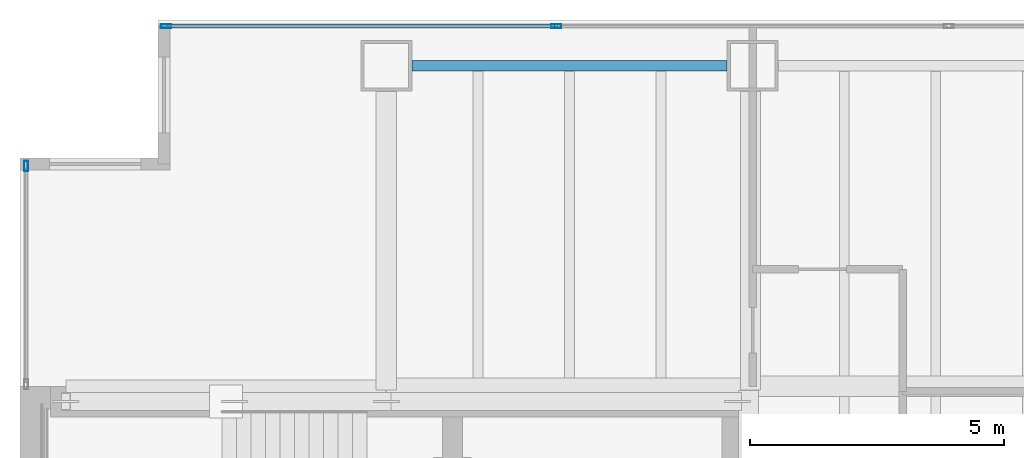
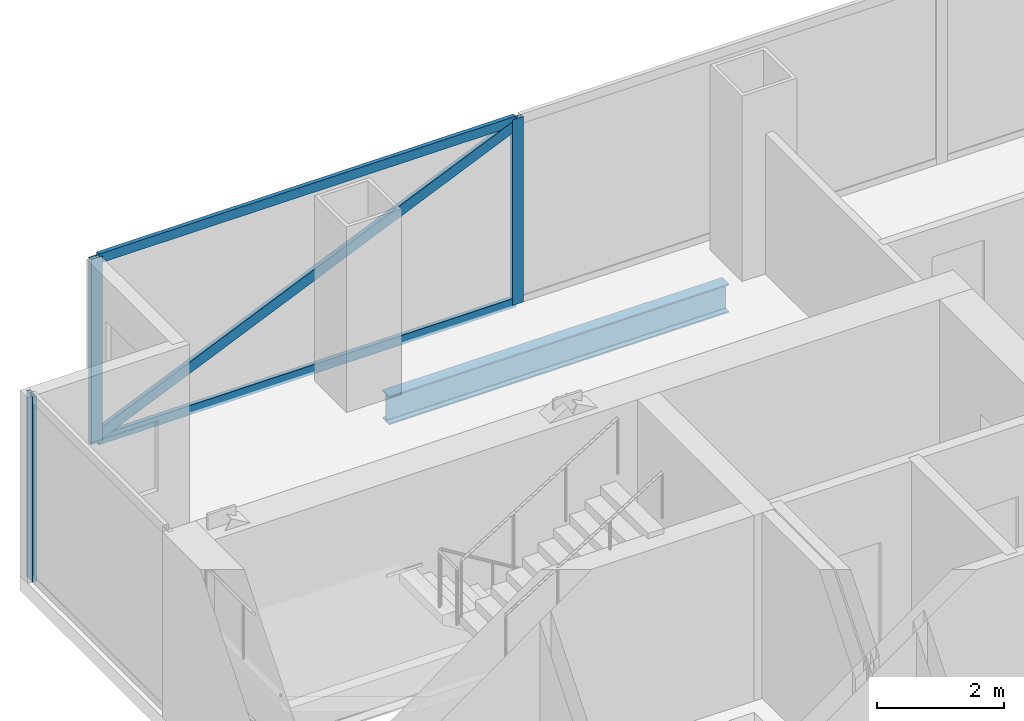
# One storey, part 16 of 23: 6 members, 1 beam, 2 elements without a shape of their own.
"""IFC4 building model written with IfcOpenShell, lengths in metres."""

from ifc_helpers import new_model, si_unit, direction, frame, origin, origin_2d, place, context, subcontext, project, spatial, hollow_rectangle, i_section, extrude, material, material_profile, profile_set, type_object, element, aggregate, save


model = new_model("IFC4")

# Units and contexts
model_context = context("Model", 3, precision=1e-05, world=origin(), true_north=direction((0.0, 1.0)))
body_context = subcontext(model_context, "Body", "Model", "MODEL_VIEW")
ifc_project = project(units=[si_unit("LENGTHUNIT", "METRE"), si_unit("AREAUNIT", "SQUARE_METRE"), si_unit("VOLUMEUNIT", "CUBIC_METRE"), si_unit("PLANEANGLEUNIT", "RADIAN"), si_unit("MASSUNIT", "GRAM", prefix="KILO")], contexts=[model_context])

# Site, building, storey
site_placement = place(None, origin())
site = spatial("IfcSite", under=ifc_project, at=site_placement, CompositionType="ELEMENT")
building_placement = place(site_placement, origin())
building = spatial("IfcBuilding", under=site, at=building_placement, Name="Cobrela Telecom Tower", CompositionType="ELEMENT")
storey_placement = place(building_placement, frame((0.0, 0.0, 65.800048828125)))
storey = spatial("IfcBuildingStorey", under=building, at=storey_placement, Name="L16", CompositionType="ELEMENT", Elevation=65.800048828125)

# Beam
ifc_material_1 = material(Name="Steel ASTM A992 Grade 50", Category="steel")
ifc_material_profile_1 = material_profile(ifc_material_1, i_section(OverallWidth=0.212890625, OverallDepth=0.549072265625, WebThickness=0.0146484375, FlangeThickness=0.023681640625, FilletRadius=0.013916015625, at=origin_2d()), Name="W21X93")
ifc_profile_set_1 = profile_set([ifc_material_profile_1], Name="Steel ASTM A992 Grade 50")
beam_type = type_object("IfcBeamType", Name="BM-SPAND-03", PredefinedType="SPANDREL", material=ifc_profile_set_1)
beam_placement = place(storey_placement, frame((7.705078125, 42.300048828125, -0.554443359375), z_axis=(1.0, 0.0, 0.0), x_axis=(0.0, 1.0, 0.0)))
element("IfcBeam", 1, at=beam_placement, inside=storey, type_object=beam_type, Name="L16 Perimeter Spandrel X29", PredefinedType="SPANDREL", context=body_context, shape_type="SweptSolid", body=[
    extrude(i_section(OverallWidth=0.212890625, OverallDepth=0.549072265625, WebThickness=0.0146484375, FlangeThickness=0.023681640625, FilletRadius=0.013916015625, at=origin_2d()), origin(), (0.0, 0.0, 1.0), 6.18994140625),
])

# Curtain wall, member
ifc_material_2 = material(Name="Anodized Bronze Aluminium 6063-T6", Category="aluminium")
curtain_wall_type = type_object("IfcCurtainWallType", Name="CW-SYS-DATA", PredefinedType="USERDEFINED", material=ifc_material_2)
curtain_wall_1_placement = place(storey_placement, origin())
curtain_wall_1 = element("IfcCurtainWall", 2, at=curtain_wall_1_placement, inside=storey, type_object=curtain_wall_type, Name="L16 Unitised Bronze Curtain Wall 04", ObjectType="UNITISED CURTAIN WALL", PredefinedType="USERDEFINED")
ifc_material_profile_2 = material_profile(ifc_material_2, hollow_rectangle(XDim=0.080078125, YDim=0.199951171875, WallThickness=0.00390625, at=origin_2d()), Name="ALU 80x200x4")
ifc_profile_set_2 = profile_set([ifc_material_profile_2], Name="Anodized Bronze Aluminium 6063-T6")
member_type_1 = type_object("IfcMemberType", Name="CW-SYS-DATA-MUL", PredefinedType="MULLION", material=ifc_profile_set_2)
member_1_placement = place(storey_placement, frame((0.1201171875, 40.330078125, 0.0), z_axis=(0.0, 0.0, 1.0), x_axis=(-1.0, 0.0, 0.0)))
member_1 = element("IfcMember", 3, at=member_1_placement, type_object=member_type_1, Name="CW-DATA mullion 2", PredefinedType="MULLION", context=body_context, shape_type="SweptSolid", body=[
    extrude(hollow_rectangle(XDim=0.080078125, YDim=0.199951171875, WallThickness=0.00390625, at=origin_2d()), origin(), (0.0, 0.0, 1.0), 3.570068359375),
])
aggregate(curtain_wall_1, [member_1])

# Curtain wall, members
curtain_wall_2_placement = place(storey_placement, origin())
curtain_wall_2 = element("IfcCurtainWall", 4, at=curtain_wall_2_placement, inside=storey, type_object=curtain_wall_type, Name="L16 Unitised Bronze Curtain Wall 07", ObjectType="UNITISED CURTAIN WALL", PredefinedType="USERDEFINED")
member_2_placement = place(storey_placement, frame((2.8701171875, 43.080078125, 0.0), z_axis=(0.0, 0.0, 1.0), x_axis=(0.0, 1.0, 0.0)))
member_2 = element("IfcMember", 5, at=member_2_placement, type_object=member_type_1, Name="CW-DATA mullion 1", PredefinedType="MULLION", context=body_context, shape_type="SweptSolid", body=[
    extrude(hollow_rectangle(XDim=0.080078125, YDim=0.199951171875, WallThickness=0.00390625, at=origin_2d()), origin(), (0.0, 0.0, 1.0), 3.570068359375),
])
member_3_placement = place(storey_placement, frame((10.543212890625, 43.080078125, 0.0), z_axis=(0.0, 0.0, 1.0), x_axis=(0.0, 1.0, 0.0)))
member_3 = element("IfcMember", 6, at=member_3_placement, type_object=member_type_1, Name="CW-DATA mullion 2", PredefinedType="MULLION", context=body_context, shape_type="SweptSolid", body=[
    extrude(hollow_rectangle(XDim=0.080078125, YDim=0.199951171875, WallThickness=0.00390625, at=origin_2d()), origin(), (0.0, 0.0, 1.0), 3.570068359375),
])
member_4_placement = place(storey_placement, frame((2.830078125, 43.080078125, 0.099853515625), z_axis=(0.916348282041, 0.0, 0.4003821), x_axis=(0.0, 1.0, 0.0)))
member_4 = element("IfcMember", 7, at=member_4_placement, type_object=member_type_1, Name="L16 Faceted Curtain Wall Diagonal Glazing Mullion", PredefinedType="MULLION", context=body_context, shape_type="SweptSolid", body=[
    extrude(hollow_rectangle(XDim=0.080078125, YDim=0.199951171875, WallThickness=0.00390625, at=origin_2d()), origin(), (0.0, 0.0, 1.0), 8.417236328125),
])
ifc_material_profile_3 = material_profile(ifc_material_2, hollow_rectangle(XDim=0.074951171875, YDim=0.179931640625, WallThickness=0.00390625, at=origin_2d()), Name="ALU 75x180x4")
ifc_profile_set_3 = profile_set([ifc_material_profile_3], Name="Anodized Bronze Aluminium 6063-T6")
member_type_2 = type_object("IfcMemberType", Name="CW-SYS-DATA-TRN", PredefinedType="USERDEFINED", material=ifc_profile_set_3)
member_5_placement = place(storey_placement, frame((2.909912109375, 43.080078125, 0.037353515625), z_axis=(1.0, 0.0, 0.0), x_axis=(0.0, 1.0, 0.0)))
member_5 = element("IfcMember", 8, at=member_5_placement, type_object=member_type_2, Name="CW-DATA transom 1.1", ObjectType="TRANSOM", PredefinedType="USERDEFINED", context=body_context, shape_type="SweptSolid", body=[
    extrude(hollow_rectangle(XDim=0.074951171875, YDim=0.179931640625, WallThickness=0.00390625, at=origin_2d()), origin(), (0.0, 0.0, 1.0), 7.593505859375),
])
member_6_placement = place(storey_placement, frame((2.909912109375, 43.080078125, 3.532470703125), z_axis=(1.0, 0.0, 0.0), x_axis=(0.0, 1.0, 0.0)))
member_6 = element("IfcMember", 9, at=member_6_placement, type_object=member_type_2, Name="CW-DATA transom 1.2", ObjectType="TRANSOM", PredefinedType="USERDEFINED", context=body_context, shape_type="SweptSolid", body=[
    extrude(hollow_rectangle(XDim=0.074951171875, YDim=0.179931640625, WallThickness=0.00390625, at=origin_2d()), origin(), (0.0, 0.0, 1.0), 7.593505859375),
])
aggregate(curtain_wall_2, [member_2, member_3, member_5, member_6, member_4])

save(model, "model.ifc")
